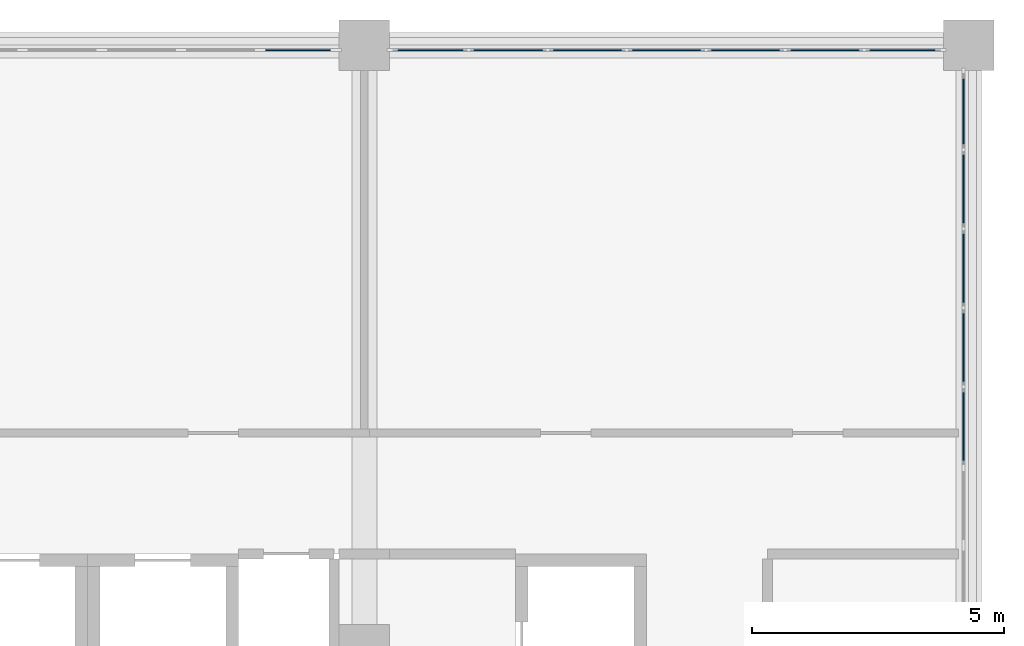
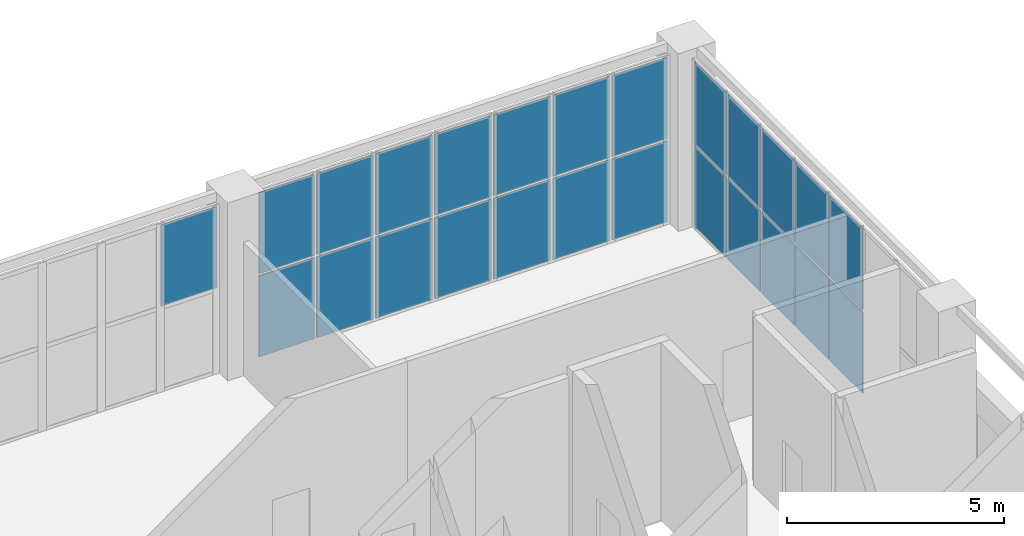
# One storey, part 50 of 69: 25 plates, 3 elements without a shape of their own.
"""IFC4 building model written with IfcOpenShell, lengths in metres."""

from ifc_helpers import new_model, si_unit, direction, frame, origin, origin_2d, place, context, subcontext, project, spatial, rectangle, extrude, material, layer, layer_set, type_object, element, aggregate, save


model = new_model("IFC4")

# Units and contexts
model_context = context("Model", 3, precision=1e-05, world=origin(), true_north=direction((0.0, 1.0)))
body_context = subcontext(model_context, "Body", "Model", "MODEL_VIEW")
ifc_project = project(units=[si_unit("LENGTHUNIT", "METRE"), si_unit("AREAUNIT", "SQUARE_METRE"), si_unit("VOLUMEUNIT", "CUBIC_METRE"), si_unit("PLANEANGLEUNIT", "RADIAN"), si_unit("MASSUNIT", "GRAM", prefix="KILO")], contexts=[model_context])

# Site, building, storey
site_placement = place(None, origin())
site = spatial("IfcSite", under=ifc_project, at=site_placement, CompositionType="ELEMENT")
building_placement = place(site_placement, origin())
building = spatial("IfcBuilding", under=site, at=building_placement, Name="Lilac Gate Convention Centre", CompositionType="ELEMENT")
storey_placement = place(building_placement, frame((0.0, 0.0, 12.0)))
storey = spatial("IfcBuildingStorey", under=building, at=storey_placement, Name="L02", CompositionType="ELEMENT", Elevation=12.0)

# Curtain wall, plates
ifc_material_1 = material(Name="Aluminium framed double glazing", Category="aluminium")
ifc_layer_1 = layer(ifc_material_1, 0.199951171875)
ifc_layer_set_1 = layer_set([ifc_layer_1], Name="Aluminium framed double glazing")
curtain_wall_type = type_object("IfcCurtainWallType", Name="Unitised curtain wall 1500", PredefinedType="NOTDEFINED", material=ifc_layer_set_1)
curtain_wall_1_placement = place(storey_placement, origin())
curtain_wall_1 = element("IfcCurtainWall", 1, at=curtain_wall_1_placement, inside=storey, type_object=curtain_wall_type, Name="Curtain wall E L02 2", PredefinedType="NOTDEFINED")
ifc_material_2 = material(Name="Double glazed unit low emissivity")
ifc_layer_2 = layer(ifc_material_2, 0.028076171875)
ifc_layer_set_2 = layer_set([ifc_layer_2], Name="Double glazed unit low emissivity")
plate_type_1 = type_object("IfcPlateType", Name="Curtain wall glass panel 28", PredefinedType="CURTAIN_PANEL", material=ifc_layer_set_2)
plate_1_placement = place(storey_placement, frame((89.89990234375, 238.428466796875, 2.4052734375), z_axis=(0.0, 0.0, 1.0), x_axis=(0.0, 1.0, 0.0)))
plate_1 = element("IfcPlate", 2, at=plate_1_placement, type_object=plate_type_1, Name="CW panel 3.2", PredefinedType="CURTAIN_PANEL", context=body_context, shape_type="SweptSolid", body=[
    extrude(rectangle(XDim=1.511474609375, YDim=0.028076171875, at=origin_2d()), origin(), (0.0, 0.0, 1.0), 2.284912109375),
])
plate_2_placement = place(storey_placement, frame((89.89990234375, 240.0, 2.4052734375), z_axis=(0.0, 0.0, 1.0), x_axis=(0.0, 1.0, 0.0)))
plate_2 = element("IfcPlate", 3, at=plate_2_placement, type_object=plate_type_1, Name="CW panel 4.2", PredefinedType="CURTAIN_PANEL", context=body_context, shape_type="SweptSolid", body=[
    extrude(rectangle(XDim=1.511474609375, YDim=0.028076171875, at=origin_2d()), origin(), (0.0, 0.0, 1.0), 2.284912109375),
])
plate_3_placement = place(storey_placement, frame((89.89990234375, 241.571533203125, 2.4052734375), z_axis=(0.0, 0.0, 1.0), x_axis=(0.0, 1.0, 0.0)))
plate_3 = element("IfcPlate", 4, at=plate_3_placement, type_object=plate_type_1, Name="CW panel 5.2", PredefinedType="CURTAIN_PANEL", context=body_context, shape_type="SweptSolid", body=[
    extrude(rectangle(XDim=1.511474609375, YDim=0.028076171875, at=origin_2d()), origin(), (0.0, 0.0, 1.0), 2.284912109375),
])
plate_4_placement = place(storey_placement, frame((89.89990234375, 243.142822265625, 2.4052734375), z_axis=(0.0, 0.0, 1.0), x_axis=(0.0, 1.0, 0.0)))
plate_4 = element("IfcPlate", 5, at=plate_4_placement, type_object=plate_type_1, Name="CW panel 6.2", PredefinedType="CURTAIN_PANEL", context=body_context, shape_type="SweptSolid", body=[
    extrude(rectangle(XDim=1.511474609375, YDim=0.028076171875, at=origin_2d()), origin(), (0.0, 0.0, 1.0), 2.284912109375),
])
plate_5_placement = place(storey_placement, frame((89.89990234375, 244.69921875, 2.4052734375), z_axis=(0.0, 0.0, 1.0), x_axis=(0.0, 1.0, 0.0)))
plate_5 = element("IfcPlate", 6, at=plate_5_placement, type_object=plate_type_1, Name="CW panel 7.2", PredefinedType="CURTAIN_PANEL", context=body_context, shape_type="SweptSolid", body=[
    extrude(rectangle(XDim=1.4814453125, YDim=0.028076171875, at=origin_2d()), origin(), (0.0, 0.0, 1.0), 2.284912109375),
])

curtain_wall_2_placement = place(storey_placement, origin())
curtain_wall_2 = element("IfcCurtainWall", 7, at=curtain_wall_2_placement, inside=storey, type_object=curtain_wall_type, Name="Curtain wall N L02 1", PredefinedType="NOTDEFINED")
plate_6_placement = place(storey_placement, frame((88.69921875, 245.89990234375, 2.4052734375), z_axis=(0.0, 0.0, 1.0), x_axis=(-1.0, 0.0, 0.0)))
plate_6 = element("IfcPlate", 8, at=plate_6_placement, type_object=plate_type_1, Name="CW panel 1.2", PredefinedType="CURTAIN_PANEL", context=body_context, shape_type="SweptSolid", body=[
    extrude(rectangle(XDim=1.4814453125, YDim=0.028076171875, at=origin_2d()), origin(), (0.0, 0.0, 1.0), 2.284912109375),
])
plate_7_placement = place(storey_placement, frame((87.142822265625, 245.89990234375, 2.4052734375), z_axis=(0.0, 0.0, 1.0), x_axis=(-1.0, 0.0, 0.0)))
plate_7 = element("IfcPlate", 9, at=plate_7_placement, type_object=plate_type_1, Name="CW panel 2.2", PredefinedType="CURTAIN_PANEL", context=body_context, shape_type="SweptSolid", body=[
    extrude(rectangle(XDim=1.511474609375, YDim=0.028076171875, at=origin_2d()), origin(), (0.0, 0.0, 1.0), 2.284912109375),
])
plate_8_placement = place(storey_placement, frame((85.571533203125, 245.89990234375, 2.4052734375), z_axis=(0.0, 0.0, 1.0), x_axis=(-1.0, 0.0, 0.0)))
plate_8 = element("IfcPlate", 10, at=plate_8_placement, type_object=plate_type_1, Name="CW panel 3.2", PredefinedType="CURTAIN_PANEL", context=body_context, shape_type="SweptSolid", body=[
    extrude(rectangle(XDim=1.511474609375, YDim=0.028076171875, at=origin_2d()), origin(), (0.0, 0.0, 1.0), 2.284912109375),
])
plate_9_placement = place(storey_placement, frame((84.0, 245.89990234375, 2.4052734375), z_axis=(0.0, 0.0, 1.0), x_axis=(-1.0, 0.0, 0.0)))
plate_9 = element("IfcPlate", 11, at=plate_9_placement, type_object=plate_type_1, Name="CW panel 4.2", PredefinedType="CURTAIN_PANEL", context=body_context, shape_type="SweptSolid", body=[
    extrude(rectangle(XDim=1.511474609375, YDim=0.028076171875, at=origin_2d()), origin(), (0.0, 0.0, 1.0), 2.284912109375),
])
plate_10_placement = place(storey_placement, frame((82.428466796875, 245.89990234375, 2.4052734375), z_axis=(0.0, 0.0, 1.0), x_axis=(-1.0, 0.0, 0.0)))
plate_10 = element("IfcPlate", 12, at=plate_10_placement, type_object=plate_type_1, Name="CW panel 5.2", PredefinedType="CURTAIN_PANEL", context=body_context, shape_type="SweptSolid", body=[
    extrude(rectangle(XDim=1.511474609375, YDim=0.028076171875, at=origin_2d()), origin(), (0.0, 0.0, 1.0), 2.284912109375),
])
plate_11_placement = place(storey_placement, frame((80.857177734375, 245.89990234375, 2.4052734375), z_axis=(0.0, 0.0, 1.0), x_axis=(-1.0, 0.0, 0.0)))
plate_11 = element("IfcPlate", 13, at=plate_11_placement, type_object=plate_type_1, Name="CW panel 6.2", PredefinedType="CURTAIN_PANEL", context=body_context, shape_type="SweptSolid", body=[
    extrude(rectangle(XDim=1.511474609375, YDim=0.028076171875, at=origin_2d()), origin(), (0.0, 0.0, 1.0), 2.284912109375),
])
plate_12_placement = place(storey_placement, frame((79.30078125, 245.89990234375, 2.4052734375), z_axis=(0.0, 0.0, 1.0), x_axis=(-1.0, 0.0, 0.0)))
plate_12 = element("IfcPlate", 14, at=plate_12_placement, type_object=plate_type_1, Name="CW panel 7.2", PredefinedType="CURTAIN_PANEL", context=body_context, shape_type="SweptSolid", body=[
    extrude(rectangle(XDim=1.4814453125, YDim=0.028076171875, at=origin_2d()), origin(), (0.0, 0.0, 1.0), 2.284912109375),
])

# Curtain wall, plate
curtain_wall_3_placement = place(storey_placement, origin())
curtain_wall_3 = element("IfcCurtainWall", 15, at=curtain_wall_3_placement, inside=storey, type_object=curtain_wall_type, Name="Curtain wall N L02 2", PredefinedType="NOTDEFINED")
plate_13_placement = place(storey_placement, frame((76.69921875, 245.89990234375, 2.4052734375), z_axis=(0.0, 0.0, 1.0), x_axis=(-1.0, 0.0, 0.0)))
plate_13 = element("IfcPlate", 16, at=plate_13_placement, type_object=plate_type_1, Name="CW panel 1.2", PredefinedType="CURTAIN_PANEL", context=body_context, shape_type="SweptSolid", body=[
    extrude(rectangle(XDim=1.4814453125, YDim=0.028076171875, at=origin_2d()), origin(), (0.0, 0.0, 1.0), 2.284912109375),
])
aggregate(curtain_wall_3, [plate_13])

# Plate
ifc_material_3 = material(Name="Insulated aluminium spandrel panel", Category="aluminium")
ifc_layer_3 = layer(ifc_material_3, 0.028076171875)
ifc_layer_set_3 = layer_set([ifc_layer_3], Name="Insulated aluminium spandrel panel")
plate_type_2 = type_object("IfcPlateType", Name="Curtain wall spandrel panel 28", PredefinedType="CURTAIN_PANEL", material=ifc_layer_set_3)
plate_14_placement = place(storey_placement, frame((89.89990234375, 238.428466796875, 0.06005859375), z_axis=(0.0, 0.0, 1.0), x_axis=(0.0, 1.0, 0.0)))
plate_14 = element("IfcPlate", 17, at=plate_14_placement, type_object=plate_type_2, Name="CW spandrel 3.1", PredefinedType="CURTAIN_PANEL", context=body_context, shape_type="SweptSolid", body=[
    extrude(rectangle(XDim=1.511474609375, YDim=0.028076171875, at=origin_2d()), origin(), (0.0, 0.0, 1.0), 2.284912109375),
])

plate_15_placement = place(storey_placement, frame((89.89990234375, 240.0, 0.06005859375), z_axis=(0.0, 0.0, 1.0), x_axis=(0.0, 1.0, 0.0)))
plate_15 = element("IfcPlate", 18, at=plate_15_placement, type_object=plate_type_2, Name="CW spandrel 4.1", PredefinedType="CURTAIN_PANEL", context=body_context, shape_type="SweptSolid", body=[
    extrude(rectangle(XDim=1.511474609375, YDim=0.028076171875, at=origin_2d()), origin(), (0.0, 0.0, 1.0), 2.284912109375),
])

plate_16_placement = place(storey_placement, frame((89.89990234375, 241.571533203125, 0.06005859375), z_axis=(0.0, 0.0, 1.0), x_axis=(0.0, 1.0, 0.0)))
plate_16 = element("IfcPlate", 19, at=plate_16_placement, type_object=plate_type_2, Name="CW spandrel 5.1", PredefinedType="CURTAIN_PANEL", context=body_context, shape_type="SweptSolid", body=[
    extrude(rectangle(XDim=1.511474609375, YDim=0.028076171875, at=origin_2d()), origin(), (0.0, 0.0, 1.0), 2.284912109375),
])

plate_17_placement = place(storey_placement, frame((89.89990234375, 243.142822265625, 0.06005859375), z_axis=(0.0, 0.0, 1.0), x_axis=(0.0, 1.0, 0.0)))
plate_17 = element("IfcPlate", 20, at=plate_17_placement, type_object=plate_type_2, Name="CW spandrel 6.1", PredefinedType="CURTAIN_PANEL", context=body_context, shape_type="SweptSolid", body=[
    extrude(rectangle(XDim=1.511474609375, YDim=0.028076171875, at=origin_2d()), origin(), (0.0, 0.0, 1.0), 2.284912109375),
])

plate_18_placement = place(storey_placement, frame((89.89990234375, 244.69921875, 0.06005859375), z_axis=(0.0, 0.0, 1.0), x_axis=(0.0, 1.0, 0.0)))
plate_18 = element("IfcPlate", 21, at=plate_18_placement, type_object=plate_type_2, Name="CW spandrel 7.1", PredefinedType="CURTAIN_PANEL", context=body_context, shape_type="SweptSolid", body=[
    extrude(rectangle(XDim=1.4814453125, YDim=0.028076171875, at=origin_2d()), origin(), (0.0, 0.0, 1.0), 2.284912109375),
])

aggregate(curtain_wall_1, [plate_14, plate_1, plate_15, plate_2, plate_16, plate_3, plate_17, plate_4, plate_18, plate_5])

plate_19_placement = place(storey_placement, frame((88.69921875, 245.89990234375, 0.06005859375), z_axis=(0.0, 0.0, 1.0), x_axis=(-1.0, 0.0, 0.0)))
plate_19 = element("IfcPlate", 22, at=plate_19_placement, type_object=plate_type_2, Name="CW spandrel 1.1", PredefinedType="CURTAIN_PANEL", context=body_context, shape_type="SweptSolid", body=[
    extrude(rectangle(XDim=1.4814453125, YDim=0.028076171875, at=origin_2d()), origin(), (0.0, 0.0, 1.0), 2.284912109375),
])

plate_20_placement = place(storey_placement, frame((87.142822265625, 245.89990234375, 0.06005859375), z_axis=(0.0, 0.0, 1.0), x_axis=(-1.0, 0.0, 0.0)))
plate_20 = element("IfcPlate", 23, at=plate_20_placement, type_object=plate_type_2, Name="CW spandrel 2.1", PredefinedType="CURTAIN_PANEL", context=body_context, shape_type="SweptSolid", body=[
    extrude(rectangle(XDim=1.511474609375, YDim=0.028076171875, at=origin_2d()), origin(), (0.0, 0.0, 1.0), 2.284912109375),
])

plate_21_placement = place(storey_placement, frame((85.571533203125, 245.89990234375, 0.06005859375), z_axis=(0.0, 0.0, 1.0), x_axis=(-1.0, 0.0, 0.0)))
plate_21 = element("IfcPlate", 24, at=plate_21_placement, type_object=plate_type_2, Name="CW spandrel 3.1", PredefinedType="CURTAIN_PANEL", context=body_context, shape_type="SweptSolid", body=[
    extrude(rectangle(XDim=1.511474609375, YDim=0.028076171875, at=origin_2d()), origin(), (0.0, 0.0, 1.0), 2.284912109375),
])

plate_22_placement = place(storey_placement, frame((84.0, 245.89990234375, 0.06005859375), z_axis=(0.0, 0.0, 1.0), x_axis=(-1.0, 0.0, 0.0)))
plate_22 = element("IfcPlate", 25, at=plate_22_placement, type_object=plate_type_2, Name="CW spandrel 4.1", PredefinedType="CURTAIN_PANEL", context=body_context, shape_type="SweptSolid", body=[
    extrude(rectangle(XDim=1.511474609375, YDim=0.028076171875, at=origin_2d()), origin(), (0.0, 0.0, 1.0), 2.284912109375),
])

plate_23_placement = place(storey_placement, frame((82.428466796875, 245.89990234375, 0.06005859375), z_axis=(0.0, 0.0, 1.0), x_axis=(-1.0, 0.0, 0.0)))
plate_23 = element("IfcPlate", 26, at=plate_23_placement, type_object=plate_type_2, Name="CW spandrel 5.1", PredefinedType="CURTAIN_PANEL", context=body_context, shape_type="SweptSolid", body=[
    extrude(rectangle(XDim=1.511474609375, YDim=0.028076171875, at=origin_2d()), origin(), (0.0, 0.0, 1.0), 2.284912109375),
])

plate_24_placement = place(storey_placement, frame((80.857177734375, 245.89990234375, 0.06005859375), z_axis=(0.0, 0.0, 1.0), x_axis=(-1.0, 0.0, 0.0)))
plate_24 = element("IfcPlate", 27, at=plate_24_placement, type_object=plate_type_2, Name="CW spandrel 6.1", PredefinedType="CURTAIN_PANEL", context=body_context, shape_type="SweptSolid", body=[
    extrude(rectangle(XDim=1.511474609375, YDim=0.028076171875, at=origin_2d()), origin(), (0.0, 0.0, 1.0), 2.284912109375),
])

plate_25_placement = place(storey_placement, frame((79.30078125, 245.89990234375, 0.06005859375), z_axis=(0.0, 0.0, 1.0), x_axis=(-1.0, 0.0, 0.0)))
plate_25 = element("IfcPlate", 28, at=plate_25_placement, type_object=plate_type_2, Name="CW spandrel 7.1", PredefinedType="CURTAIN_PANEL", context=body_context, shape_type="SweptSolid", body=[
    extrude(rectangle(XDim=1.4814453125, YDim=0.028076171875, at=origin_2d()), origin(), (0.0, 0.0, 1.0), 2.284912109375),
])

aggregate(curtain_wall_2, [plate_19, plate_6, plate_20, plate_7, plate_21, plate_8, plate_22, plate_9, plate_23, plate_10, plate_24, plate_11, plate_25, plate_12])

save(model, "model.ifc")
